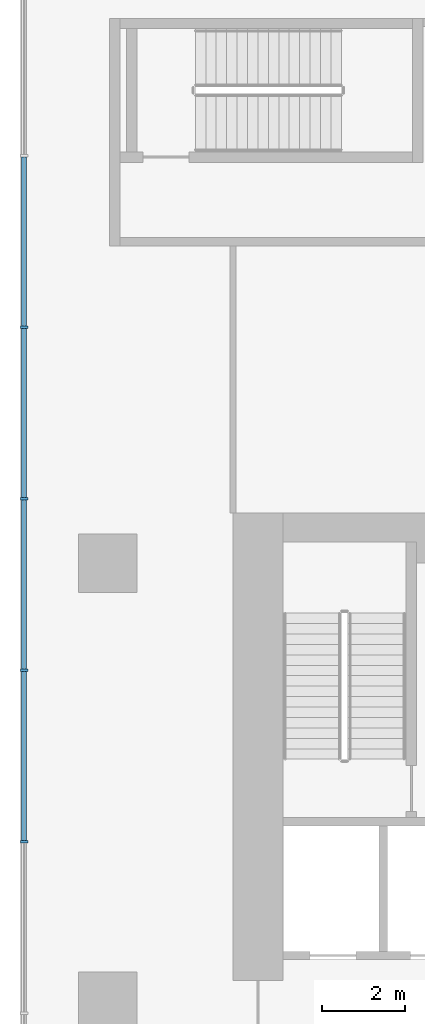
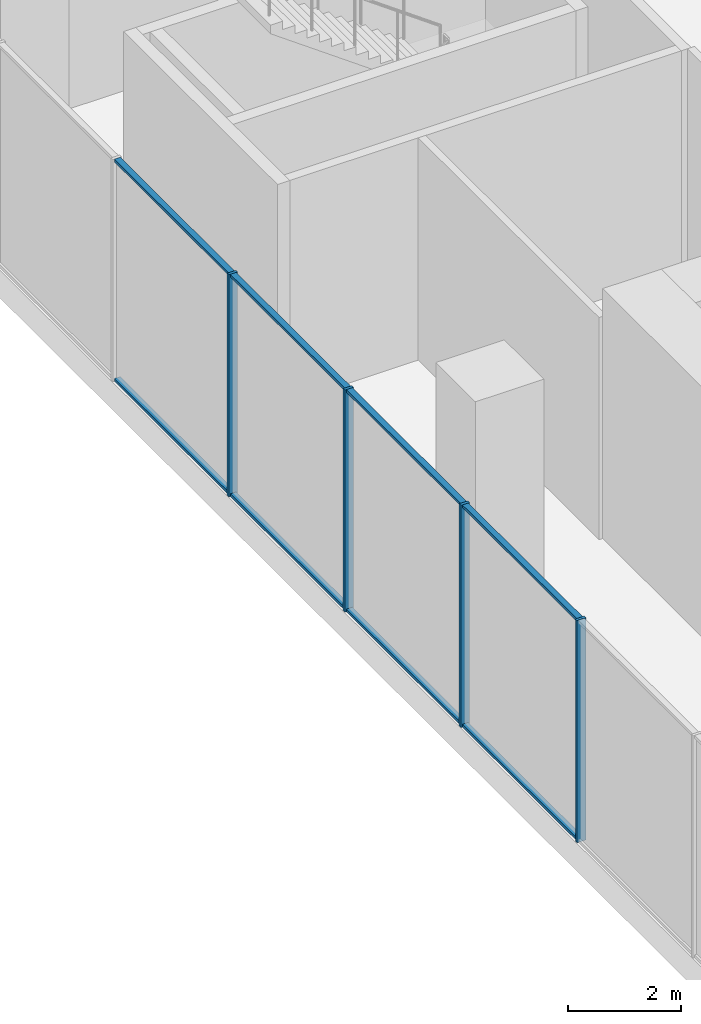
# One storey, part 4 of 24: 12 members, 1 element without a shape of its own.
"""IFC4 building model written with IfcOpenShell, lengths in metres."""

from ifc_helpers import new_model, si_unit, direction, frame, origin, origin_2d, place, context, subcontext, project, spatial, rectangle, extrude, source, transform, mapped, material, layer, layer_set, material_profile, profile_set, type_object, element, aggregate, save


model = new_model("IFC4")

# Units and contexts
model_context = context("Model", 3, precision=1e-05, world=origin(), true_north=direction((0.0, 1.0)))
body_context = subcontext(model_context, "Body", "Model", "MODEL_VIEW")
ifc_project = project(units=[si_unit("LENGTHUNIT", "METRE"), si_unit("AREAUNIT", "SQUARE_METRE"), si_unit("VOLUMEUNIT", "CUBIC_METRE"), si_unit("PLANEANGLEUNIT", "RADIAN"), si_unit("MASSUNIT", "GRAM", prefix="KILO")], contexts=[model_context])

# Site, building, storey
site_placement = place(None, origin())
site = spatial("IfcSite", under=ifc_project, at=site_placement, CompositionType="ELEMENT")
building_placement = place(site_placement, origin())
building = spatial("IfcBuilding", under=site, at=building_placement, Name="Aurelian Terraces", CompositionType="ELEMENT")
storey_placement = place(building_placement, frame((0.0, 0.0, 12.9)))
storey = spatial("IfcBuildingStorey", under=building, at=storey_placement, Name="L02", CompositionType="ELEMENT", Elevation=12.9)

# Curtain wall, members
ifc_material_1 = material(Name="Anodised aluminium and clear glazing", Category="aluminium")
ifc_layer = layer(ifc_material_1, 0.2)
ifc_layer_set = layer_set([ifc_layer], Name="Winter garden glazing curtain wall")
curtain_wall_type = type_object("IfcCurtainWallType", Name="Winter garden glazing curtain wall", PredefinedType="NOTDEFINED", material=ifc_layer_set)
curtain_wall_placement = place(storey_placement, origin())
curtain_wall = element("IfcCurtainWall", 1, at=curtain_wall_placement, inside=storey, type_object=curtain_wall_type, Name="Winter garden glazing L02 F06.1", PredefinedType="NOTDEFINED")
ifc_material_2 = material(Name="Anodised aluminium", Category="aluminium")
ifc_material_profile_1 = material_profile(ifc_material_2, rectangle(XDim=0.18, YDim=0.06, at=origin_2d()))
ifc_profile_set_1 = profile_set([ifc_material_profile_1], Name="Anodised aluminium")
member_type_1 = type_object("IfcMemberType", Name="Winter garden glazing mullion", PredefinedType="MULLION", material=ifc_profile_set_1)
shared_shape_1 = source(origin(), body_context, "Body", "SweptSolid", [
    extrude(rectangle(XDim=0.18, YDim=0.06, at=origin_2d()), origin(), (0.0, 0.0, 1.0), 4.8),
])
member_1_placement = place(storey_placement, frame((-2.0, 26.6467, 0.0), z_axis=(0.0, 0.0, 1.0), x_axis=(1.0, 0.0, 0.0)))
member_1 = element("IfcMember", 2, at=member_1_placement, type_object=member_type_1, Name="CW6 mullion 12", PredefinedType="MULLION", context=body_context, shape_type="MappedRepresentation", body=[
    mapped(shared_shape_1, transform((0.0, 0.0, 0.0), scale=1.0)),
])
member_2_placement = place(storey_placement, frame((-2.0, 22.54, 0.0), z_axis=(0.0, 0.0, 1.0), x_axis=(1.0, 0.0, 0.0)))
member_2 = element("IfcMember", 3, at=member_2_placement, type_object=member_type_1, Name="CW6 mullion 13", PredefinedType="MULLION", context=body_context, shape_type="MappedRepresentation", body=[
    mapped(shared_shape_1, transform((0.0, 0.0, 0.0), scale=1.0)),
])
member_3_placement = place(storey_placement, frame((-2.0, 18.4333, 0.0), z_axis=(0.0, 0.0, 1.0), x_axis=(1.0, 0.0, 0.0)))
member_3 = element("IfcMember", 4, at=member_3_placement, type_object=member_type_1, Name="CW6 mullion 14", PredefinedType="MULLION", context=body_context, shape_type="MappedRepresentation", body=[
    mapped(shared_shape_1, transform((0.0, 0.0, 0.0), scale=1.0)),
])
member_4_placement = place(storey_placement, frame((-2.0, 14.3267, 0.0), z_axis=(0.0, 0.0, 1.0), x_axis=(1.0, 0.0, 0.0)))
member_4 = element("IfcMember", 5, at=member_4_placement, type_object=member_type_1, Name="CW6 mullion 15", PredefinedType="MULLION", context=body_context, shape_type="MappedRepresentation", body=[
    mapped(shared_shape_1, transform((0.0, 0.0, 0.0), scale=1.0)),
])
ifc_material_profile_2 = material_profile(ifc_material_2, rectangle(XDim=0.12, YDim=0.06, at=origin_2d()))
ifc_profile_set_2 = profile_set([ifc_material_profile_2], Name="Anodised aluminium")
member_type_2 = type_object("IfcMemberType", Name="Winter garden glazing transom", PredefinedType="USERDEFINED", material=ifc_profile_set_2)
shared_shape_2 = source(origin(), body_context, "Body", "SweptSolid", [
    extrude(rectangle(XDim=0.12, YDim=0.06, at=origin_2d()), origin(), (0.0, 0.0, 1.0), 4.0466),
])
member_5_placement = place(storey_placement, frame((-2.0, 30.7233, 0.03), z_axis=(0.0, -1.0, 0.0), x_axis=(1.0, 0.0, 0.0)))
member_5 = element("IfcMember", 6, at=member_5_placement, type_object=member_type_2, Name="CW6 transom 11.1", ObjectType="TRANSOM", PredefinedType="USERDEFINED", context=body_context, shape_type="MappedRepresentation", body=[
    mapped(shared_shape_2, transform((0.0, 0.0, 0.0), scale=1.0)),
])
member_6_placement = place(storey_placement, frame((-2.0, 30.7233, 4.77), z_axis=(0.0, -1.0, 0.0), x_axis=(1.0, 0.0, 0.0)))
member_6 = element("IfcMember", 7, at=member_6_placement, type_object=member_type_2, Name="CW6 transom 11.2", ObjectType="TRANSOM", PredefinedType="USERDEFINED", context=body_context, shape_type="MappedRepresentation", body=[
    mapped(shared_shape_2, transform((0.0, 0.0, 0.0), scale=1.0)),
])
member_7_placement = place(storey_placement, frame((-2.0, 18.4033, 0.03), z_axis=(0.0, -1.0, 0.0), x_axis=(1.0, 0.0, 0.0)))
member_7 = element("IfcMember", 8, at=member_7_placement, type_object=member_type_2, Name="CW6 transom 14.1", ObjectType="TRANSOM", PredefinedType="USERDEFINED", context=body_context, shape_type="MappedRepresentation", body=[
    mapped(shared_shape_2, transform((0.0, 0.0, 0.0), scale=1.0)),
])
member_8_placement = place(storey_placement, frame((-2.0, 18.4033, 4.77), z_axis=(0.0, -1.0, 0.0), x_axis=(1.0, 0.0, 0.0)))
member_8 = element("IfcMember", 9, at=member_8_placement, type_object=member_type_2, Name="CW6 transom 14.2", ObjectType="TRANSOM", PredefinedType="USERDEFINED", context=body_context, shape_type="MappedRepresentation", body=[
    mapped(shared_shape_2, transform((0.0, 0.0, 0.0), scale=1.0)),
])
shared_shape_3 = source(origin(), body_context, "Body", "SweptSolid", [
    extrude(rectangle(XDim=0.12, YDim=0.06, at=origin_2d()), origin(), (0.0, 0.0, 1.0), 4.0467),
])
member_9_placement = place(storey_placement, frame((-2.0, 26.6167, 0.03), z_axis=(0.0, -1.0, 0.0), x_axis=(1.0, 0.0, 0.0)))
member_9 = element("IfcMember", 10, at=member_9_placement, type_object=member_type_2, Name="CW6 transom 12.1", ObjectType="TRANSOM", PredefinedType="USERDEFINED", context=body_context, shape_type="MappedRepresentation", body=[
    mapped(shared_shape_3, transform((0.0, 0.0, 0.0), scale=1.0)),
])
member_10_placement = place(storey_placement, frame((-2.0, 26.6167, 4.77), z_axis=(0.0, -1.0, 0.0), x_axis=(1.0, 0.0, 0.0)))
member_10 = element("IfcMember", 11, at=member_10_placement, type_object=member_type_2, Name="CW6 transom 12.2", ObjectType="TRANSOM", PredefinedType="USERDEFINED", context=body_context, shape_type="MappedRepresentation", body=[
    mapped(shared_shape_3, transform((0.0, 0.0, 0.0), scale=1.0)),
])
member_11_placement = place(storey_placement, frame((-2.0, 22.51, 0.03), z_axis=(0.0, -1.0, 0.0), x_axis=(1.0, 0.0, 0.0)))
member_11 = element("IfcMember", 12, at=member_11_placement, type_object=member_type_2, Name="CW6 transom 13.1", ObjectType="TRANSOM", PredefinedType="USERDEFINED", context=body_context, shape_type="MappedRepresentation", body=[
    mapped(shared_shape_3, transform((0.0, 0.0, 0.0), scale=1.0)),
])
member_12_placement = place(storey_placement, frame((-2.0, 22.51, 4.77), z_axis=(0.0, -1.0, 0.0), x_axis=(1.0, 0.0, 0.0)))
member_12 = element("IfcMember", 13, at=member_12_placement, type_object=member_type_2, Name="CW6 transom 13.2", ObjectType="TRANSOM", PredefinedType="USERDEFINED", context=body_context, shape_type="MappedRepresentation", body=[
    mapped(shared_shape_3, transform((0.0, 0.0, 0.0), scale=1.0)),
])
aggregate(curtain_wall, [member_1, member_2, member_3, member_4, member_5, member_6, member_9, member_10, member_11, member_12, member_7, member_8])

save(model, "model.ifc")
